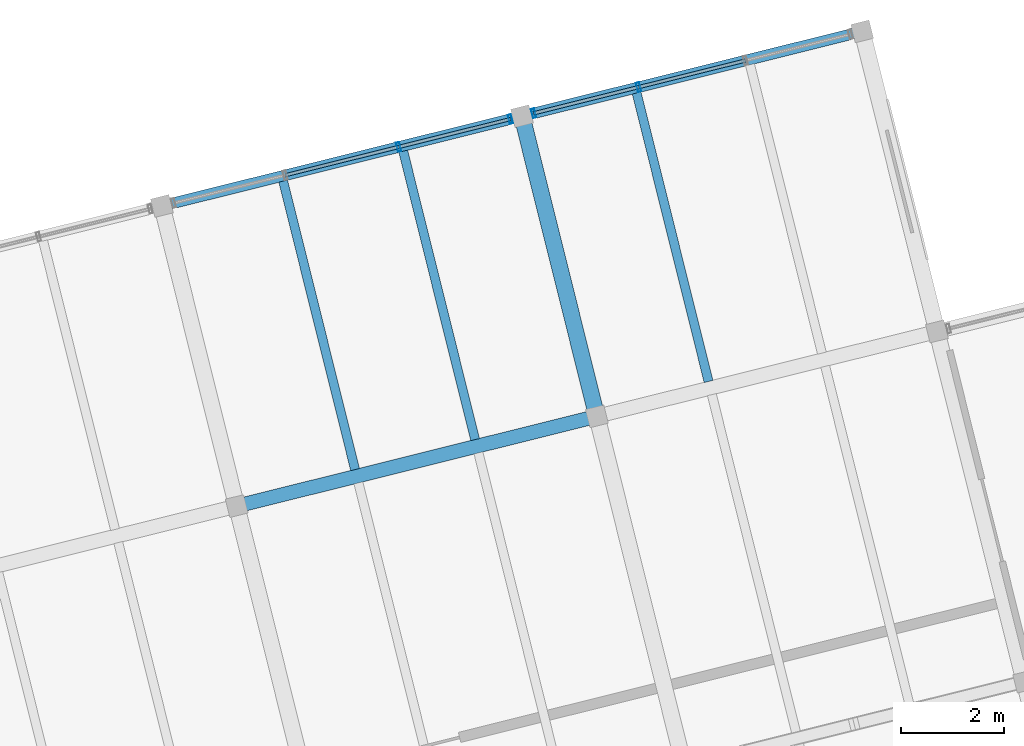
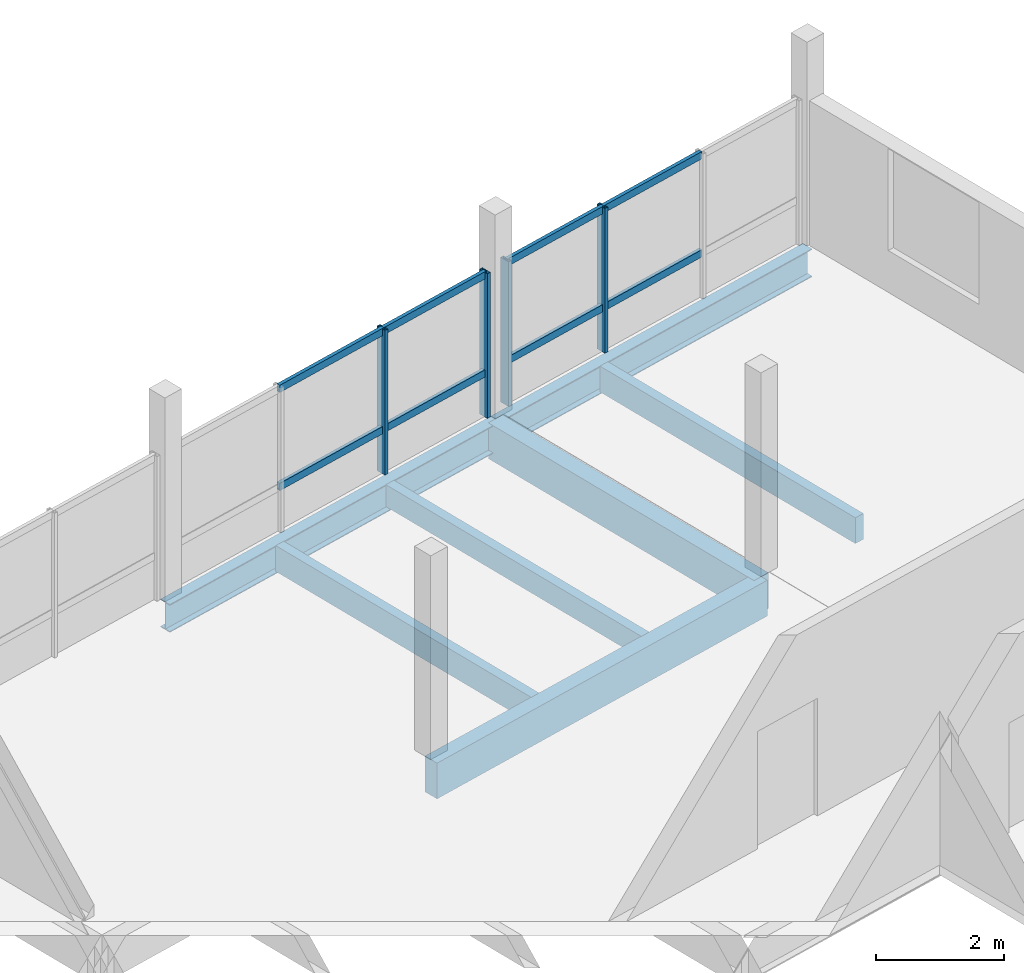
# One storey, part 17 of 26: 12 members, 7 beams, 2 elements without a shape of their own.
"""IFC4 building model written with IfcOpenShell, lengths in metres."""

from ifc_helpers import new_model, si_unit, direction, frame, origin, origin_2d, place, context, subcontext, project, spatial, rectangle, hollow_rectangle, i_section, extrude, material, layer, layer_set, material_profile, profile_set, type_object, element, aggregate, save


model = new_model("IFC4")

# Units and contexts
model_context = context("Model", 3, precision=1e-05, world=origin(), true_north=direction((0.0, 1.0)))
body_context = subcontext(model_context, "Body", "Model", "MODEL_VIEW")
ifc_project = project(units=[si_unit("LENGTHUNIT", "METRE"), si_unit("AREAUNIT", "SQUARE_METRE"), si_unit("VOLUMEUNIT", "CUBIC_METRE"), si_unit("PLANEANGLEUNIT", "RADIAN"), si_unit("MASSUNIT", "GRAM", prefix="KILO")], contexts=[model_context])

# Site, building, storey
site_placement = place(None, origin())
site = spatial("IfcSite", under=ifc_project, at=site_placement, CompositionType="ELEMENT")
building_placement = place(site_placement, origin())
building = spatial("IfcBuilding", under=site, at=building_placement, Name="Meriwether Solvik Hall", CompositionType="ELEMENT")
storey_placement = place(building_placement, frame((0.0, 0.0, 41.699951171875)))
storey = spatial("IfcBuildingStorey", under=building, at=storey_placement, Name="L10", CompositionType="ELEMENT", Elevation=41.699951171875)

# Beams
ifc_material_1 = material(Name="Glulam Douglas-Fir 24F-V8 GL28h", Category="wood")
ifc_material_profile_1 = material_profile(ifc_material_1, rectangle(XDim=0.27294921875, YDim=0.68505859375, at=origin_2d()), Name="GLB-273X685")
ifc_profile_set_1 = profile_set([ifc_material_profile_1], Name="Glulam Douglas-Fir 24F-V8 GL28h")
beam_type_1 = type_object("IfcBeamType", Name="BM-GL-273X685", PredefinedType="BEAM", material=ifc_profile_set_1)
beam_1_placement = place(storey_placement, frame((83.172607421875, 73.690673828125, -0.5224609375), z_axis=(0.970301855688, 0.241897310542, 0.0), x_axis=(-0.241897310542, 0.970301855688, 0.0)))
element("IfcBeam", 1, at=beam_1_placement, inside=storey, type_object=beam_type_1, Name="Tower Girder TE:T4-T5 (L10)", PredefinedType="BEAM", context=body_context, shape_type="SweptSolid", body=[
    extrude(rectangle(XDim=0.27294921875, YDim=0.68505859375, at=origin_2d()), origin(), (0.0, 0.0, 1.0), 7.2001953125),
])
ifc_material_2 = material(Name="Glulam Douglas-Fir 24F-V8 GL28h", Category="wood")
ifc_material_profile_2 = material_profile(ifc_material_2, rectangle(XDim=0.31494140625, YDim=0.68505859375, at=origin_2d()), Name="GLB-315X685")
ifc_profile_set_2 = profile_set([ifc_material_profile_2], Name="Glulam Douglas-Fir 24F-V8 GL28h")
beam_type_2 = type_object("IfcBeamType", Name="BM-GL-315X685", PredefinedType="BEAM", material=ifc_profile_set_2)
beam_2_placement = place(storey_placement, frame((90.158935546875, 75.432373046875, -0.5224609375), z_axis=(-0.241941986192, 0.970290716908, 0.0), x_axis=(-0.970290716908, -0.241941986192, 0.0)))
element("IfcBeam", 2, at=beam_2_placement, inside=storey, type_object=beam_type_2, Name="Tower Girder T5:TE-TF (L10)", PredefinedType="BEAM", context=body_context, shape_type="SweptSolid", body=[
    extrude(rectangle(XDim=0.31494140625, YDim=0.68505859375, at=origin_2d()), origin(), (0.0, 0.0, 1.0), 6.0),
])
ifc_material_3 = material(Name="Steel A992 Grade 50", Category="steel")
ifc_material_profile_3 = material_profile(ifc_material_3, i_section(OverallWidth=0.2099609375, OverallDepth=0.537109375, WebThickness=0.010986328125, FlangeThickness=0.017333984375, at=origin_2d()), Name="W21X68")
ifc_profile_set_3 = profile_set([ifc_material_profile_3], Name="Steel A992 Grade 50")
beam_type_3 = type_object("IfcBeamType", Name="BM-STL-W21X68", PredefinedType="SPANDREL", material=ifc_profile_set_3)
beam_3_placement = place(storey_placement, frame((81.72119140625, 79.512451171875, -0.448486328125), z_axis=(0.970299871507, 0.241905269381, 0.0), x_axis=(-0.241905269381, 0.970299871507, 0.0)))
element("IfcBeam", 3, at=beam_3_placement, inside=storey, type_object=beam_type_3, Name="Tower Girder TF:T4-T5 (L10)", PredefinedType="SPANDREL", context=body_context, shape_type="SweptSolid", body=[
    extrude(i_section(OverallWidth=0.2099609375, OverallDepth=0.537109375, WebThickness=0.010986328125, FlangeThickness=0.017333984375, at=origin_2d()), origin(), (0.0, 0.0, 1.0), 7.199951171875),
])
beam_4_placement = place(storey_placement, frame((88.707275390625, 81.254150390625, -0.448486328125), z_axis=(0.970298579828, 0.24191045034, 0.0), x_axis=(-0.24191045034, 0.970298579828, 0.0)))
element("IfcBeam", 4, at=beam_4_placement, inside=storey, type_object=beam_type_3, Name="Tower Girder TF:T5-T6 (L10)", PredefinedType="SPANDREL", context=body_context, shape_type="SweptSolid", body=[
    extrude(i_section(OverallWidth=0.2099609375, OverallDepth=0.537109375, WebThickness=0.010986328125, FlangeThickness=0.017333984375, at=origin_2d()), origin(), (0.0, 0.0, 1.0), 6.800048828125),
])

# Curtain wall, members
ifc_material_4 = material(Name="Thermally Broken Anodised Aluminium 6063-T6 and Low-E Glass", Category="aluminium")
ifc_layer_1 = layer(ifc_material_4, 0.179931640625)
ifc_layer_set_1 = layer_set([ifc_layer_1], Name="Thermally Broken Anodised Aluminium 6063-T6 and Low-E Glass")
curtain_wall_type_1 = type_object("IfcCurtainWallType", Name="CW-UNIT-C", PredefinedType="USERDEFINED", material=ifc_layer_set_1)
curtain_wall_1_placement = place(storey_placement, origin())
curtain_wall_1 = element("IfcCurtainWall", 5, at=curtain_wall_1_placement, inside=storey, type_object=curtain_wall_type_1, Name="Curtain Wall E6_B3 (L10)", ObjectType="UNITISED CURTAIN WALL", PredefinedType="USERDEFINED")
ifc_material_5 = material(Name="Anodised Aluminium 6063-T6", Category="aluminium")
ifc_material_profile_4 = material_profile(ifc_material_5, hollow_rectangle(XDim=0.06494140625, YDim=0.179931640625, WallThickness=0.00439453125, at=origin_2d()), Name="CWM-65X180")
ifc_profile_set_4 = profile_set([ifc_material_profile_4], Name="Anodised Aluminium 6063-T6")
member_type_1 = type_object("IfcMemberType", Name="CW-MUL-65X180", PredefinedType="MULLION", material=ifc_profile_set_4)
member_1_placement = place(storey_placement, frame((86.315673828125, 80.657958984375, 0.0), z_axis=(0.0, 0.0, 1.0), x_axis=(0.970295725693, 0.241921897937, 0.0)))
member_1 = element("IfcMember", 6, at=member_1_placement, type_object=member_type_1, Name="Curtain Wall Mullion 3", PredefinedType="MULLION", context=body_context, shape_type="SweptSolid", body=[
    extrude(hollow_rectangle(XDim=0.06494140625, YDim=0.179931640625, WallThickness=0.00439453125, at=origin_2d()), origin(), (0.0, 0.0, 1.0), 2.77001953125),
])
member_2_placement = place(storey_placement, frame((88.481689453125, 81.197998046875, 0.0), z_axis=(0.0, 0.0, 1.0), x_axis=(0.970295725693, 0.241921897937, 0.0)))
member_2 = element("IfcMember", 7, at=member_2_placement, type_object=member_type_1, Name="Curtain Wall Mullion 4", PredefinedType="MULLION", context=body_context, shape_type="SweptSolid", body=[
    extrude(hollow_rectangle(XDim=0.06494140625, YDim=0.179931640625, WallThickness=0.00439453125, at=origin_2d()), origin(), (0.0, 0.0, 1.0), 2.77001953125),
])

ifc_material_6 = material(Name="Thermally Broken Anodised Aluminium 6063-T6 and Low-E Glass", Category="aluminium")
ifc_layer_2 = layer(ifc_material_6, 0.179931640625)
ifc_layer_set_2 = layer_set([ifc_layer_2], Name="Thermally Broken Anodised Aluminium 6063-T6 and Low-E Glass")
curtain_wall_type_2 = type_object("IfcCurtainWallType", Name="CW-UNIT-D", PredefinedType="USERDEFINED", material=ifc_layer_set_2)
curtain_wall_2_placement = place(storey_placement, origin())
curtain_wall_2 = element("IfcCurtainWall", 8, at=curtain_wall_2_placement, inside=storey, type_object=curtain_wall_type_2, Name="Curtain Wall E6_B4 (L10)", ObjectType="UNITISED CURTAIN WALL", PredefinedType="USERDEFINED")
member_3_placement = place(storey_placement, frame((88.932861328125, 81.310302734375, 0.0), z_axis=(0.0, 0.0, 1.0), x_axis=(0.970295737161, 0.241921851942, 0.0)))
member_3 = element("IfcMember", 9, at=member_3_placement, type_object=member_type_1, Name="Curtain Wall Mullion 1", PredefinedType="MULLION", context=body_context, shape_type="SweptSolid", body=[
    extrude(hollow_rectangle(XDim=0.06494140625, YDim=0.179931640625, WallThickness=0.00439453125, at=origin_2d()), origin(), (0.0, 0.0, 1.0), 2.77001953125),
])
member_4_placement = place(storey_placement, frame((90.969482421875, 81.818115234375, 0.0), z_axis=(0.0, 0.0, 1.0), x_axis=(0.970295737161, 0.241921851942, 0.0)))
member_4 = element("IfcMember", 10, at=member_4_placement, type_object=member_type_1, Name="Curtain Wall Mullion 2", PredefinedType="MULLION", context=body_context, shape_type="SweptSolid", body=[
    extrude(hollow_rectangle(XDim=0.06494140625, YDim=0.179931640625, WallThickness=0.00439453125, at=origin_2d()), origin(), (0.0, 0.0, 1.0), 2.77001953125),
])

# Member
ifc_material_7 = material(Name="Anodised Aluminium 6063-T6", Category="aluminium")
ifc_material_profile_5 = material_profile(ifc_material_7, hollow_rectangle(XDim=0.06494140625, YDim=0.139892578125, WallThickness=0.00439453125, at=origin_2d()), Name="CWT-65X140")
ifc_profile_set_5 = profile_set([ifc_material_profile_5], Name="Anodised Aluminium 6063-T6")
member_type_2 = type_object("IfcMemberType", Name="CW-TRN-65X140", PredefinedType="USERDEFINED", material=ifc_profile_set_5)
member_5_placement = place(storey_placement, frame((84.11279296875, 80.108642578125, 0.8310546875), z_axis=(0.970287814054, 0.241953627576, 0.0), x_axis=(-0.241953627576, 0.970287814054, 0.0)))
member_5 = element("IfcMember", 11, at=member_5_placement, type_object=member_type_2, Name="Curtain Wall Transom 2-sill", ObjectType="TRANSOM", PredefinedType="USERDEFINED", context=body_context, shape_type="SweptSolid", body=[
    extrude(hollow_rectangle(XDim=0.06494140625, YDim=0.139892578125, WallThickness=0.00439453125, at=origin_2d()), origin(), (0.0, 0.0, 1.0), 2.270263671875),
])

member_6_placement = place(storey_placement, frame((84.11279296875, 80.108642578125, 2.7099609375), z_axis=(0.970287814054, 0.241953627576, 0.0), x_axis=(-0.241953627576, 0.970287814054, 0.0)))
member_6 = element("IfcMember", 12, at=member_6_placement, type_object=member_type_2, Name="Curtain Wall Transom 2-head", ObjectType="TRANSOM", PredefinedType="USERDEFINED", context=body_context, shape_type="SweptSolid", body=[
    extrude(hollow_rectangle(XDim=0.06494140625, YDim=0.139892578125, WallThickness=0.00439453125, at=origin_2d()), origin(), (0.0, 0.0, 1.0), 2.270263671875),
])

member_7_placement = place(storey_placement, frame((86.315673828125, 80.657958984375, 0.8310546875), z_axis=(0.970296702868, 0.241917978668, 0.0), x_axis=(-0.241917978668, 0.970296702868, 0.0)))
member_7 = element("IfcMember", 13, at=member_7_placement, type_object=member_type_2, Name="Curtain Wall Transom 3-sill", ObjectType="TRANSOM", PredefinedType="USERDEFINED", context=body_context, shape_type="SweptSolid", body=[
    extrude(hollow_rectangle(XDim=0.06494140625, YDim=0.139892578125, WallThickness=0.00439453125, at=origin_2d()), origin(), (0.0, 0.0, 1.0), 2.232421875),
])

member_8_placement = place(storey_placement, frame((86.315673828125, 80.657958984375, 2.7099609375), z_axis=(0.970296702868, 0.241917978668, 0.0), x_axis=(-0.241917978668, 0.970296702868, 0.0)))
member_8 = element("IfcMember", 14, at=member_8_placement, type_object=member_type_2, Name="Curtain Wall Transom 3-head", ObjectType="TRANSOM", PredefinedType="USERDEFINED", context=body_context, shape_type="SweptSolid", body=[
    extrude(hollow_rectangle(XDim=0.06494140625, YDim=0.139892578125, WallThickness=0.00439453125, at=origin_2d()), origin(), (0.0, 0.0, 1.0), 2.232421875),
])

aggregate(curtain_wall_1, [member_1, member_2, member_5, member_6, member_7, member_8])

member_9_placement = place(storey_placement, frame((88.932861328125, 81.310302734375, 0.8310546875), z_axis=(0.970292837531, 0.241933481427, 0.0), x_axis=(-0.241933481427, 0.970292837531, 0.0)))
member_9 = element("IfcMember", 15, at=member_9_placement, type_object=member_type_2, Name="Curtain Wall Transom 1-sill", ObjectType="TRANSOM", PredefinedType="USERDEFINED", context=body_context, shape_type="SweptSolid", body=[
    extrude(hollow_rectangle(XDim=0.06494140625, YDim=0.139892578125, WallThickness=0.00439453125, at=origin_2d()), origin(), (0.0, 0.0, 1.0), 2.098876953125),
])

member_10_placement = place(storey_placement, frame((88.932861328125, 81.310302734375, 2.7099609375), z_axis=(0.970292837531, 0.241933481427, 0.0), x_axis=(-0.241933481427, 0.970292837531, 0.0)))
member_10 = element("IfcMember", 16, at=member_10_placement, type_object=member_type_2, Name="Curtain Wall Transom 1-head", ObjectType="TRANSOM", PredefinedType="USERDEFINED", context=body_context, shape_type="SweptSolid", body=[
    extrude(hollow_rectangle(XDim=0.06494140625, YDim=0.139892578125, WallThickness=0.00439453125, at=origin_2d()), origin(), (0.0, 0.0, 1.0), 2.098876953125),
])

member_11_placement = place(storey_placement, frame((90.969482421875, 81.818115234375, 0.8310546875), z_axis=(0.970283462184, 0.241971078877, 0.0), x_axis=(-0.241971078877, 0.970283462184, 0.0)))
member_11 = element("IfcMember", 17, at=member_11_placement, type_object=member_type_2, Name="Curtain Wall Transom 2-sill", ObjectType="TRANSOM", PredefinedType="USERDEFINED", context=body_context, shape_type="SweptSolid", body=[
    extrude(hollow_rectangle(XDim=0.06494140625, YDim=0.139892578125, WallThickness=0.00439453125, at=origin_2d()), origin(), (0.0, 0.0, 1.0), 2.136962890625),
])

member_12_placement = place(storey_placement, frame((90.969482421875, 81.818115234375, 2.7099609375), z_axis=(0.970283462184, 0.241971078877, 0.0), x_axis=(-0.241971078877, 0.970283462184, 0.0)))
member_12 = element("IfcMember", 18, at=member_12_placement, type_object=member_type_2, Name="Curtain Wall Transom 2-head", ObjectType="TRANSOM", PredefinedType="USERDEFINED", context=body_context, shape_type="SweptSolid", body=[
    extrude(hollow_rectangle(XDim=0.06494140625, YDim=0.139892578125, WallThickness=0.00439453125, at=origin_2d()), origin(), (0.0, 0.0, 1.0), 2.136962890625),
])

aggregate(curtain_wall_2, [member_3, member_4, member_9, member_10, member_11, member_12])

# Beams
ifc_material_8 = material(Name="Glulam Douglas-Fir 24F-V8 GL28h", Category="wood")
ifc_material_profile_6 = material_profile(ifc_material_8, rectangle(XDim=0.175048828125, YDim=0.419921875, at=origin_2d()), Name="GLJ-175X420")
ifc_profile_set_6 = profile_set([ifc_material_profile_6], Name="Glulam Douglas-Fir 24F-V8 GL28h")
beam_type_4 = type_object("IfcBeamType", Name="JST-GL-175X420", PredefinedType="JOIST", material=ifc_profile_set_6)
beam_5_placement = place(storey_placement, frame((87.79833984375, 74.9794921875, -0.389892578125), z_axis=(-0.241928093286, 0.970294180998, 0.0), x_axis=(-0.970294180998, -0.241928093286, 0.0)))
element("IfcBeam", 19, at=beam_5_placement, inside=storey, type_object=beam_type_4, Name="Glulam Floor Joist T4/TE-J2 (L10)", PredefinedType="JOIST", context=body_context, shape_type="SweptSolid", body=[
    extrude(rectangle(XDim=0.175048828125, YDim=0.419921875, at=origin_2d()), origin(), (0.0, 0.0, 1.0), 5.768310546875),
])
ifc_material_9 = material(Name="Glulam Douglas-Fir 24F-V8 GL28h", Category="wood")
ifc_material_profile_7 = material_profile(ifc_material_9, rectangle(XDim=0.175048828125, YDim=0.4951171875, at=origin_2d()), Name="GLJ-175X495")
ifc_profile_set_7 = profile_set([ifc_material_profile_7], Name="Glulam Douglas-Fir 24F-V8 GL28h")
beam_type_5 = type_object("IfcBeamType", Name="JST-GL-175X495", PredefinedType="JOIST", material=ifc_profile_set_7)
for number, where, z_axis, x_axis, name in (
    (20, (85.469482421875, 74.398681640625, -0.427490234375), (-0.241918158317, 0.970296658078, 0.0), (-0.970296658078, -0.241918158317, 0.0), "Glulam Floor Joist T4/TE-J1 (L10)"),
    (21, (92.326416015625, 76.1083984375, -0.427490234375), (-0.241918158317, 0.970296658078, 0.0), (-0.970296658078, -0.241918158317, 0.0), "Glulam Floor Joist T5/TE-J1 (L10)"),
):
    element("IfcBeam", number, at=place(storey_placement, frame(where, z_axis=z_axis, x_axis=x_axis)), inside=storey, type_object=beam_type_5, Name=name, PredefinedType="JOIST", context=body_context, shape_type="SweptSolid", body=[
        extrude(rectangle(XDim=0.175048828125, YDim=0.4951171875, at=origin_2d()), origin(), (0.0, 0.0, 1.0), 5.7685546875),
    ])

save(model, "model.ifc")
